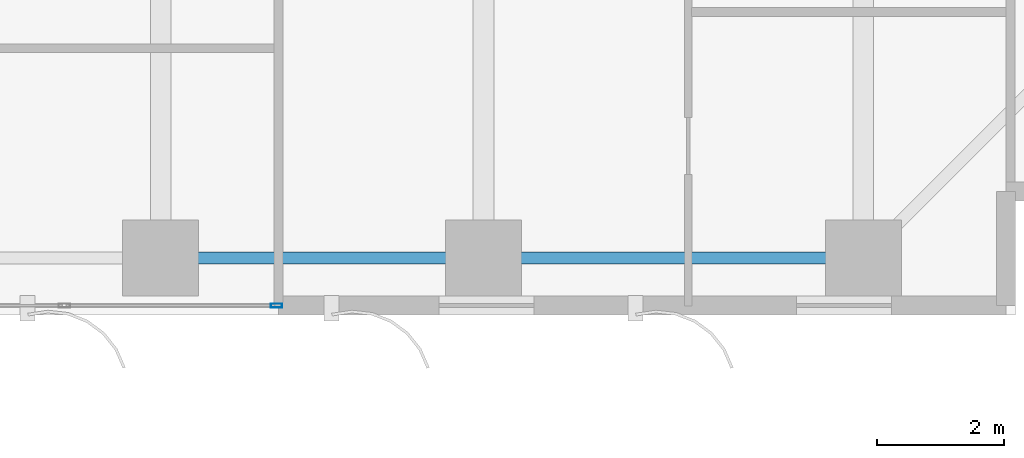
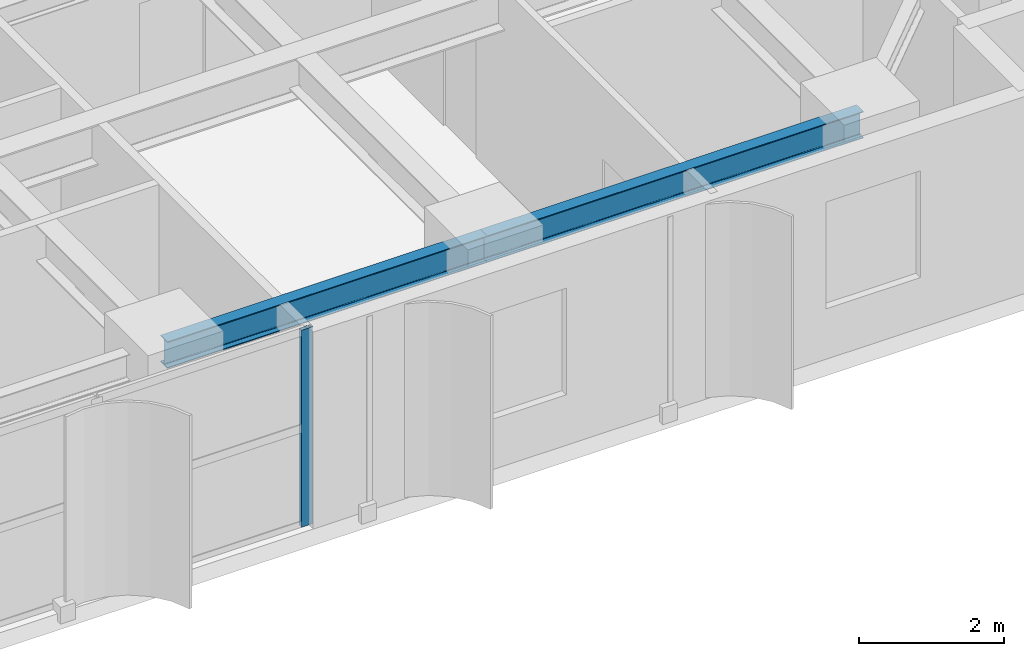
# One storey, part 7 of 25: 2 beams, 1 member, 1 element without a shape of its own.
"""IFC4 building model written with IfcOpenShell, lengths in metres."""

from ifc_helpers import new_model, si_unit, direction, frame, origin, origin_2d, place, context, subcontext, project, spatial, hollow_rectangle, i_section, extrude, source, transform, mapped, material, layer, layer_set, material_profile, profile_set, type_object, element, aggregate, save


model = new_model("IFC4")

# Units and contexts
model_context = context("Model", 3, precision=1e-05, world=origin(), true_north=direction((0.0, 1.0)))
body_context = subcontext(model_context, "Body", "Model", "MODEL_VIEW")
ifc_project = project(units=[si_unit("LENGTHUNIT", "METRE"), si_unit("AREAUNIT", "SQUARE_METRE"), si_unit("VOLUMEUNIT", "CUBIC_METRE"), si_unit("PLANEANGLEUNIT", "RADIAN"), si_unit("MASSUNIT", "GRAM", prefix="KILO")], contexts=[model_context])

# Site, building, storey
site_placement = place(None, origin())
site = spatial("IfcSite", under=ifc_project, at=site_placement, CompositionType="ELEMENT")
building_placement = place(site_placement, origin())
building = spatial("IfcBuilding", under=site, at=building_placement, Name="Khoralis Quay Care Tower", CompositionType="ELEMENT")
storey_placement = place(building_placement, frame((0.0, 0.0, 65.699951171875)))
storey = spatial("IfcBuildingStorey", under=building, at=storey_placement, Name="L17", CompositionType="ELEMENT", Elevation=65.699951171875)

# Beams
ifc_material_1 = material(Name="Steel S355", Category="steel")
ifc_material_profile_1 = material_profile(ifc_material_1, i_section(OverallWidth=0.18994140625, OverallDepth=0.449951171875, WebThickness=0.009521484375, FlangeThickness=0.0146484375, FilletRadius=0.02099609375, at=origin_2d()), Name="Steel S355")
ifc_profile_set_1 = profile_set([ifc_material_profile_1], Name="Steel S355")
beam_type = type_object("IfcBeamType", Name="BM-IPE450", PredefinedType="SPANDREL", material=ifc_profile_set_1)
shared_shape_1 = source(origin(), body_context, "Body", "SweptSolid", [
    extrude(i_section(OverallWidth=0.18994140625, OverallDepth=0.449951171875, WebThickness=0.009521484375, FlangeThickness=0.0146484375, FilletRadius=0.02099609375, at=origin_2d()), origin(), (0.0, 0.0, 1.0), 6.0),
])
beam_1_placement = place(storey_placement, frame((36.0, 0.89990234375, 3.094970703125), z_axis=(1.0, 0.0, 0.0), x_axis=(0.0, 1.0, 0.0)))
element("IfcBeam", 1, at=beam_1_placement, inside=storey, type_object=beam_type, Name="BM-TSP-L17-06", PredefinedType="SPANDREL", context=body_context, shape_type="MappedRepresentation", body=[
    mapped(shared_shape_1, transform((0.0, 0.0, 0.0), scale=1.0)),
])
shared_shape_2 = source(origin(), body_context, "Body", "SweptSolid", [
    extrude(i_section(OverallWidth=0.18994140625, OverallDepth=0.449951171875, WebThickness=0.009521484375, FlangeThickness=0.0146484375, FilletRadius=0.02099609375, at=origin_2d()), origin(), (0.0, 0.0, 1.0), 5.10009765625),
])
beam_2_placement = place(storey_placement, frame((30.89990234375, 0.89990234375, 3.094970703125), z_axis=(1.0, 0.0, 0.0), x_axis=(0.0, 1.0, 0.0)))
element("IfcBeam", 2, at=beam_2_placement, inside=storey, type_object=beam_type, Name="BM-TSP-L17-05", PredefinedType="SPANDREL", context=body_context, shape_type="MappedRepresentation", body=[
    mapped(shared_shape_2, transform((0.0, 0.0, 0.0), scale=1.0)),
])

# Curtain wall, member
ifc_material_2 = material(Name="Pale anodised aluminium", Category="aluminium")
ifc_layer = layer(ifc_material_2, 0.179931640625)
ifc_layer_set = layer_set([ifc_layer], Name="Pale anodised aluminium")
curtain_wall_type = type_object("IfcCurtainWallType", Name="CW-SYS-Z1", PredefinedType="NOTDEFINED", material=ifc_layer_set)
curtain_wall_placement = place(storey_placement, origin())
curtain_wall = element("IfcCurtainWall", 3, at=curtain_wall_placement, inside=storey, type_object=curtain_wall_type, Name="L17 Unitised Curtain Wall CW-L17-P1-E0", PredefinedType="NOTDEFINED")
ifc_material_profile_2 = material_profile(ifc_material_2, hollow_rectangle(XDim=0.06494140625, YDim=0.179931640625, WallThickness=0.00390625, at=origin_2d()), Name="Pale anodised aluminium")
ifc_profile_set_2 = profile_set([ifc_material_profile_2], Name="Pale anodised aluminium")
member_type = type_object("IfcMemberType", Name="CW-MUL-180", PredefinedType="MULLION", material=ifc_profile_set_2)
shared_shape_3 = source(origin(), body_context, "Body", "SweptSolid", [
    extrude(hollow_rectangle(XDim=0.06494140625, YDim=0.179931640625, WallThickness=0.00390625, at=origin_2d()), origin(), (0.0, 0.0, 1.0), 3.320068359375),
])
member_placement = place(storey_placement, frame((32.72998046875, 0.14990234375, 0.0), z_axis=(0.0, 0.0, 1.0), x_axis=(0.0, 1.0, 0.0)))
member = element("IfcMember", 4, at=member_placement, type_object=member_type, Name="CW1 mullion 6", PredefinedType="MULLION", context=body_context, shape_type="MappedRepresentation", body=[
    mapped(shared_shape_3, transform((0.0, 0.0, 0.0), scale=1.0)),
])
aggregate(curtain_wall, [member])

save(model, "model.ifc")
